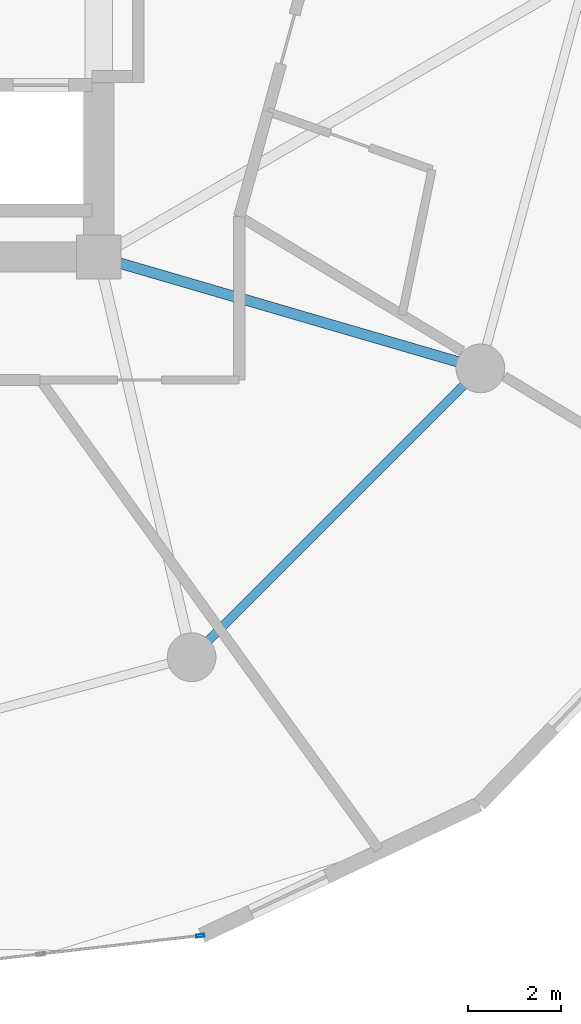
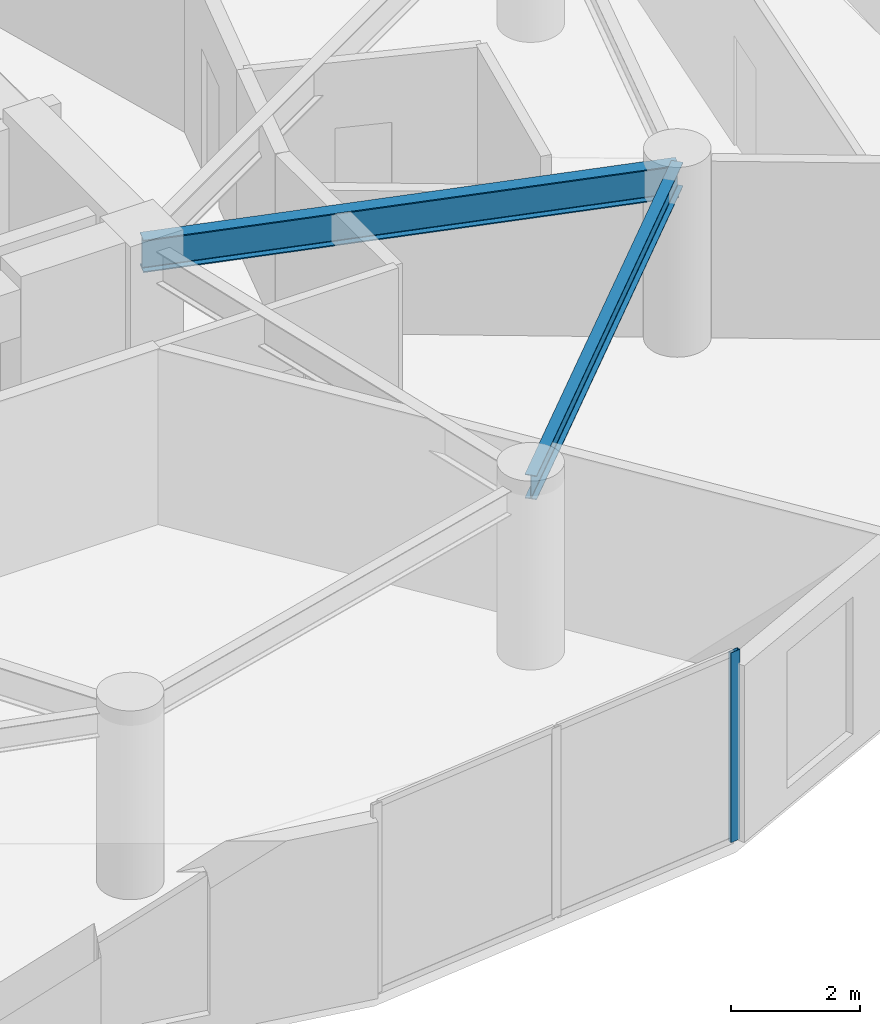
# One storey, part 10 of 26: 2 beams, 1 member, 1 element without a shape of its own.
"""IFC4 building model written with IfcOpenShell, lengths in metres."""

from ifc_helpers import new_model, si_unit, direction, frame, origin, origin_2d, place, context, subcontext, project, spatial, hollow_rectangle, i_section, extrude, source, transform, mapped, material, layer, layer_set, material_profile, profile_set, type_object, element, aggregate, save


model = new_model("IFC4")

# Units and contexts
model_context = context("Model", 3, precision=1e-05, world=origin(), true_north=direction((0.0, 1.0)))
body_context = subcontext(model_context, "Body", "Model", "MODEL_VIEW")
ifc_project = project(units=[si_unit("LENGTHUNIT", "METRE"), si_unit("AREAUNIT", "SQUARE_METRE"), si_unit("VOLUMEUNIT", "CUBIC_METRE"), si_unit("PLANEANGLEUNIT", "RADIAN"), si_unit("MASSUNIT", "GRAM", prefix="KILO")], contexts=[model_context])

# Site, building, storey
site_placement = place(None, origin())
site = spatial("IfcSite", under=ifc_project, at=site_placement, CompositionType="ELEMENT")
building_placement = place(site_placement, origin())
building = spatial("IfcBuilding", under=site, at=building_placement, Name="Solvirekh Grand Hotel", CompositionType="ELEMENT")
storey_placement = place(building_placement, frame((0.0, 0.0, 113.39990234375)))
storey = spatial("IfcBuildingStorey", under=building, at=storey_placement, Name="L28", CompositionType="ELEMENT", Elevation=113.39990234375)

# Beams
ifc_material_1 = material(Name="Steel S355", Category="steel")
ifc_material_profile_1 = material_profile(ifc_material_1, i_section(OverallWidth=0.22802734375, OverallDepth=0.616943359375, WebThickness=0.012939453125, FlangeThickness=0.02001953125, FilletRadius=0.014892578125, at=origin_2d()), Name="W610X140")
ifc_profile_set_1 = profile_set([ifc_material_profile_1], Name="Steel S355")
beam_type_1 = type_object("IfcBeamType", Name="Beam_Radial_W610", PredefinedType="BEAM", material=ifc_profile_set_1)
beam_1_placement = place(storey_placement, frame((6.5, -6.10009765625, 3.0419921875), z_axis=(0.959942195467, -0.28019811092, 0.0), x_axis=(0.28019811092, 0.959942195467, 0.0)))
element("IfcBeam", 1, at=beam_1_placement, inside=storey, type_object=beam_type_1, Name="L28 radial floor beam R12", PredefinedType="BEAM", context=body_context, shape_type="SweptSolid", body=[
    extrude(i_section(OverallWidth=0.22802734375, OverallDepth=0.616943359375, WebThickness=0.012939453125, FlangeThickness=0.02001953125, FilletRadius=0.014892578125, at=origin_2d()), origin(), (0.0, 0.0, 1.0), 8.56494140625),
])
ifc_material_profile_2 = material_profile(ifc_material_1, i_section(OverallWidth=0.18994140625, OverallDepth=0.45703125, WebThickness=0.009033203125, FlangeThickness=0.013916015625, FilletRadius=0.012939453125, at=origin_2d()), Name="W460X74")
ifc_profile_set_2 = profile_set([ifc_material_profile_2], Name="Steel S355")
beam_type_2 = type_object("IfcBeamType", Name="Spandrel_Ring_W460", PredefinedType="SPANDREL", material=ifc_profile_set_2)
beam_2_placement = place(storey_placement, frame((8.5, -14.721923828125, 3.1220703125), z_axis=(0.707106781187, 0.707106781187, 0.0), x_axis=(-0.707106781187, 0.707106781187, 0.0)))
element("IfcBeam", 2, at=beam_2_placement, inside=storey, type_object=beam_type_2, Name="L28 perimeter spandrel beam 11", PredefinedType="SPANDREL", context=body_context, shape_type="SweptSolid", body=[
    extrude(i_section(OverallWidth=0.18994140625, OverallDepth=0.45703125, WebThickness=0.009033203125, FlangeThickness=0.013916015625, FilletRadius=0.012939453125, at=origin_2d()), origin(), (0.0, 0.0, 1.0), 8.799072265625),
])

# Curtain wall, member
ifc_material_2 = material(Name="Anodized Bronze Aluminium 6063-T6", Category="aluminium")
ifc_layer = layer(ifc_material_2, 0.175048828125)
ifc_layer_set = layer_set([ifc_layer], Name="Anodized Bronze Aluminium 6063-T6")
curtain_wall_type = type_object("IfcCurtainWallType", Name="CW_Sys3_MidZoneFlushBronzeCW", PredefinedType="NOTDEFINED", material=ifc_layer_set)
curtain_wall_placement = place(storey_placement, origin())
curtain_wall = element("IfcCurtainWall", 3, at=curtain_wall_placement, inside=storey, type_object=curtain_wall_type, Name="L28 unitised bronze-glass curtain wall CW-L28-C18", PredefinedType="NOTDEFINED")
ifc_material_profile_3 = material_profile(ifc_material_2, hollow_rectangle(XDim=0.06494140625, YDim=0.175048828125, WallThickness=0.0048828125, at=origin_2d()), Name="ALU RHS 175X65X5")
ifc_profile_set_3 = profile_set([ifc_material_profile_3], Name="Anodized Bronze Aluminium 6063-T6")
member_type = type_object("IfcMemberType", Name="CWMullion_Sys3", PredefinedType="MULLION", material=ifc_profile_set_3)
shared_shape = source(origin(), body_context, "Body", "SweptSolid", [
    extrude(hollow_rectangle(XDim=0.06494140625, YDim=0.175048828125, WallThickness=0.0048828125, at=origin_2d()), origin(), (0.0, 0.0, 1.0), 3.60009765625),
])
member_placement = place(storey_placement, frame((8.687744140625, -20.7197265625, 0.0), z_axis=(0.0, 0.0, 1.0), x_axis=(-0.114607815536, 0.993410815634, 0.0)))
member = element("IfcMember", 4, at=member_placement, type_object=member_type, Name="U03 mullion 3", PredefinedType="MULLION", context=body_context, shape_type="MappedRepresentation", body=[
    mapped(shared_shape, transform((0.0, 0.0, 0.0), x_axis=(1.0, 0.0, 0.0), y_axis=(0.0, 1.0, 0.0), z_axis=(0.0, 0.0, 1.0), scale=1.0)),
])
aggregate(curtain_wall, [member])

save(model, "model.ifc")
